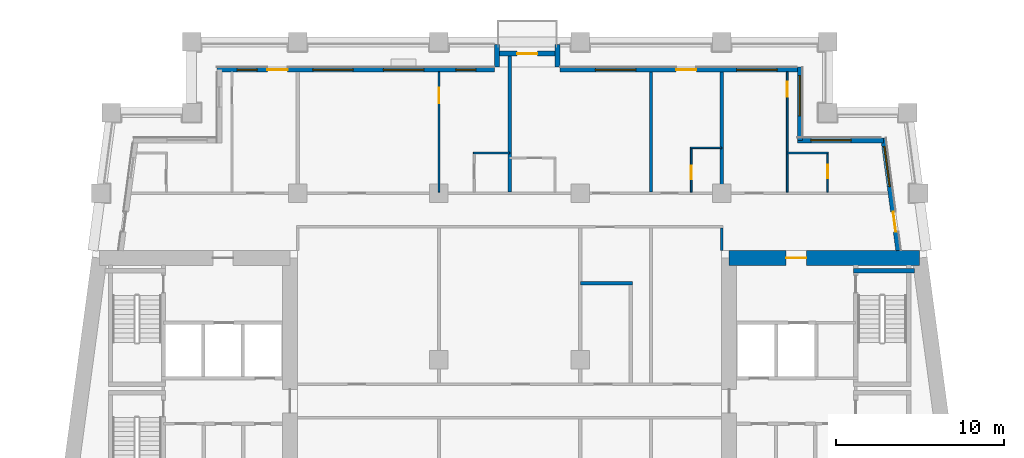
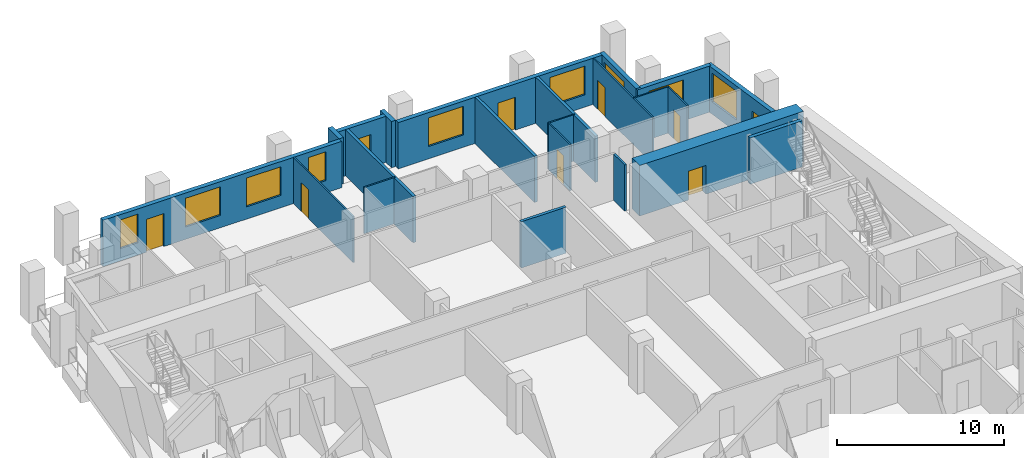
# One storey, part 7 of 13: 22 walls, 9 doors, 9 windows, 18 openings.
"""IFC4 building model written with IfcOpenShell, lengths in metres."""

from ifc_helpers import new_model, si_unit, direction, frame, frame_2d, origin, place, context, subcontext, project, spatial, rectangle, extrude, material, layer, layer_set, type_object, element, fill, save


model = new_model("IFC4")

# Units and contexts
model_context = context("Model", 3, precision=1e-05, world=origin(), true_north=direction((0.0, 1.0)))
body_context = subcontext(model_context, "Body", "Model", "MODEL_VIEW")
ifc_project = project(units=[si_unit("LENGTHUNIT", "METRE"), si_unit("AREAUNIT", "SQUARE_METRE"), si_unit("VOLUMEUNIT", "CUBIC_METRE"), si_unit("PLANEANGLEUNIT", "RADIAN"), si_unit("MASSUNIT", "GRAM", prefix="KILO")], contexts=[model_context])

# Site, building, storey
site_placement = place(None, origin())
site = spatial("IfcSite", under=ifc_project, at=site_placement, CompositionType="ELEMENT")
building_placement = place(site_placement, origin())
building = spatial("IfcBuilding", under=site, at=building_placement, Name="Candeia Pilgrim Tower and Theatre", CompositionType="ELEMENT")
storey_placement = place(building_placement, frame((0.0, 0.0, 151.5)))
storey = spatial("IfcBuildingStorey", under=building, at=storey_placement, Name="L35", CompositionType="ELEMENT", Elevation=151.5)

# Wall, opening, door
ifc_material_1 = material(Name="Concrete C60/75", Category="concrete")
ifc_layer_1 = layer(ifc_material_1, 0.89990234375)
ifc_layer_set_1 = layer_set([ifc_layer_1], Name="Core wall 900 C60/75")
wall_type_1 = type_object("IfcWallType", Name="Core wall 900 C60/75", PredefinedType="SHEAR", material=ifc_layer_set_1)
wall_1_placement = place(storey_placement, frame((126.449951171875, 131.949951171875, 0.0), z_axis=(0.0, 0.0, 1.0), x_axis=(1.0, 0.0, 0.0)))
wall_1 = element("IfcWall", 1, at=wall_1_placement, inside=storey, type_object=wall_type_1, Name="Core wall E1", PredefinedType="SHEAR", context=body_context, shape_type="SweptSolid", body=[
    extrude(rectangle(XDim=11.32568359375, YDim=0.89990234375, at=frame_2d((5.662841796875, 0.0))), origin(), (0.0, 0.0, 1.0), 3.699951171875),
])
opening_1_placement = place(wall_1_placement, frame((3.386474609375, 0.0, 0.0)))
opening_1 = element("IfcOpeningElement", 2, at=opening_1_placement, cuts=wall_1, Name="Opening L35-D061", PredefinedType="OPENING", context=body_context, shape_type="SweptSolid", body=[
    extrude(rectangle(XDim=1.199951171875, YDim=2.10009765625, at=frame_2d((0.60009765625, 1.050048828125))), frame((0.0, 0.4599609375, 0.0), z_axis=(0.0, -1.0, 0.0), x_axis=(1.0, 0.0, 0.0)), (0.0, 0.0, 1.0), 0.919921875),
])
ifc_material_2 = material(Name="Steel fire door set", Category="steel")
door_type_1 = type_object("IfcDoorType", Name="D-1200-FD60", OperationType="NOTDEFINED", PredefinedType="DOOR", material=ifc_material_2)
door_1_placement = place(opening_1_placement, origin())
door_1 = element("IfcDoor", 3, at=door_1_placement, inside=storey, type_object=door_type_1, Name="Door L35-D061", OperationType="SINGLE_SWING_RIGHT", OverallHeight=2.10009765625, OverallWidth=1.199951171875, PredefinedType="DOOR", context=body_context, shape_type="SweptSolid", body=[
    extrude(rectangle(XDim=1.199951171875, YDim=2.10009765625, at=frame_2d((0.60009765625, 1.050048828125))), frame((0.0, 0.02490234375, 0.0), z_axis=(0.0, -1.0, 0.0), x_axis=(1.0, 0.0, 0.0)), (0.0, 0.0, 1.0), 0.050048828125),
])
fill(opening_1, door_1)

# Wall, openings, door, window
ifc_material_3 = material(Name="Ceramic block masonry", Category="masonry")
ifc_layer_2 = layer(ifc_material_3, 0.300048828125)
ifc_layer_set_2 = layer_set([ifc_layer_2], Name="EW1 glazing-line wall 300")
wall_type_2 = type_object("IfcWallType", Name="EW1 glazing-line wall 300", PredefinedType="SOLIDWALL", material=ifc_layer_set_2)
wall_2_placement = place(storey_placement, frame((136.50439453125, 132.39990234375, 0.0), z_axis=(0.0, 0.0, 1.0), x_axis=(-0.133399697462, 0.99106231929, 0.0)))
wall_2 = element("IfcWall", 4, at=wall_2_placement, inside=storey, type_object=wall_type_2, Name="External wall L35-3.1", PredefinedType="SOLIDWALL", context=body_context, shape_type="SweptSolid", body=[
    extrude(rectangle(XDim=6.740478515625, YDim=0.300048828125, at=frame_2d((3.3701171875, 0.0))), origin(), (0.0, 0.0, 1.0), 3.3798828125),
])
opening_2_placement = place(wall_2_placement, frame((1.115234375, 0.0, 0.0)))
opening_2 = element("IfcOpeningElement", 5, at=opening_2_placement, cuts=wall_2, Name="Opening L35-ED337", PredefinedType="OPENING", context=body_context, shape_type="SweptSolid", body=[
    extrude(rectangle(XDim=1.199951171875, YDim=2.39990234375, at=frame_2d((0.60009765625, 1.199951171875))), frame((0.0, 0.16015625, 0.0), z_axis=(0.0, -1.0, 0.0), x_axis=(1.0, 0.0, 0.0)), (0.0, 0.0, 1.0), 0.320068359375),
])
opening_3_placement = place(wall_2_placement, frame((3.83544921875, 0.0, 0.89990234375)))
opening_3 = element("IfcOpeningElement", 6, at=opening_3_placement, cuts=wall_2, Name="Opening W-A", PredefinedType="OPENING", context=body_context, shape_type="SweptSolid", body=[
    extrude(rectangle(XDim=2.39990234375, YDim=2.10009765625, at=frame_2d((1.199951171875, 1.050048828125))), frame((0.0, 0.16015625, 0.0), z_axis=(0.0, -1.0, 0.0), x_axis=(1.0, 0.0, 0.0)), (0.0, 0.0, 1.0), 0.320068359375),
])
ifc_material_4 = material(Name="Aluminium framed glazed door", Category="aluminium")
door_type_2 = type_object("IfcDoorType", Name="Loggia door 1200x2400", OperationType="DOUBLE_DOOR_SINGLE_SWING", PredefinedType="DOOR", material=ifc_material_4)
door_2_placement = place(opening_2_placement, origin())
door_2 = element("IfcDoor", 7, at=door_2_placement, inside=storey, type_object=door_type_2, Name="Loggia door L35-ED337", OperationType="DOUBLE_DOOR_SINGLE_SWING", OverallHeight=2.39990234375, OverallWidth=1.199951171875, PredefinedType="DOOR", context=body_context, shape_type="SweptSolid", body=[
    extrude(rectangle(XDim=1.199951171875, YDim=2.39990234375, at=frame_2d((0.60009765625, 1.199951171875))), frame((0.0, 0.02490234375, 0.0), z_axis=(0.0, -1.0, 0.0), x_axis=(1.0, 0.0, 0.0)), (0.0, 0.0, 1.0), 0.050048828125),
])
fill(opening_2, door_2)
ifc_material_5 = material(Name="Aluminium framed double glazing", Category="aluminium")
window_type_1 = type_object("IfcWindowType", Name="W-A window 2400x2100", PartitioningType="DOUBLE_PANEL_VERTICAL", PredefinedType="WINDOW", material=ifc_material_5)
window_1_placement = place(opening_3_placement, origin())
window_1 = element("IfcWindow", 8, at=window_1_placement, inside=storey, type_object=window_type_1, Name="Window W-A L35", OverallHeight=2.10009765625, OverallWidth=2.39990234375, PartitioningType="SINGLE_PANEL", PredefinedType="WINDOW", context=body_context, shape_type="SweptSolid", body=[
    extrude(rectangle(XDim=2.39990234375, YDim=2.10009765625, at=frame_2d((1.199951171875, 1.050048828125))), frame((0.0, 0.030029296875, 0.0), z_axis=(0.0, -1.0, 0.0), x_axis=(1.0, 0.0, 0.0)), (0.0, 0.0, 1.0), 0.06005859375),
])
fill(opening_3, window_1)

# Wall, opening, window
wall_3_placement = place(storey_placement, frame((135.62255859375, 138.949951171875, 0.0), z_axis=(0.0, 0.0, 1.0), x_axis=(-1.0, 0.0, 0.0)))
wall_3 = element("IfcWall", 9, at=wall_3_placement, inside=storey, type_object=wall_type_2, Name="External wall L35-4.0", PredefinedType="SOLIDWALL", context=body_context, shape_type="SweptSolid", body=[
    extrude(rectangle(XDim=5.12255859375, YDim=0.300048828125, at=frame_2d((2.561279296875, 0.0))), origin(), (0.0, 0.0, 1.0), 3.3798828125),
])
opening_4_placement = place(wall_3_placement, frame((1.922607421875, 0.0, 0.89990234375)))
opening_4 = element("IfcOpeningElement", 10, at=opening_4_placement, cuts=wall_3, Name="Opening W-A", PredefinedType="OPENING", context=body_context, shape_type="SweptSolid", body=[
    extrude(rectangle(XDim=2.39990234375, YDim=2.10009765625, at=frame_2d((1.199951171875, 1.050048828125))), frame((0.0, 0.16015625, 0.0), z_axis=(0.0, -1.0, 0.0), x_axis=(1.0, 0.0, 0.0)), (0.0, 0.0, 1.0), 0.320068359375),
])
window_2_placement = place(opening_4_placement, origin())
window_2 = element("IfcWindow", 11, at=window_2_placement, inside=storey, type_object=window_type_1, Name="Window W-A L35", OverallHeight=2.10009765625, OverallWidth=2.39990234375, PartitioningType="SINGLE_PANEL", PredefinedType="WINDOW", context=body_context, shape_type="SweptSolid", body=[
    extrude(rectangle(XDim=2.39990234375, YDim=2.10009765625, at=frame_2d((1.199951171875, 1.050048828125))), frame((0.0, 0.030029296875, 0.0), z_axis=(0.0, -1.0, 0.0), x_axis=(1.0, 0.0, 0.0)), (0.0, 0.0, 1.0), 0.06005859375),
])
fill(opening_4, window_2)

wall_4_placement = place(storey_placement, frame((130.64990234375, 138.949951171875, 0.0), z_axis=(0.0, 0.0, 1.0), x_axis=(0.0, 1.0, 0.0)))
wall_4 = element("IfcWall", 12, at=wall_4_placement, inside=storey, type_object=wall_type_2, Name="External wall L35-5.0", PredefinedType="SOLIDWALL", context=body_context, shape_type="SweptSolid", body=[
    extrude(rectangle(XDim=4.35009765625, YDim=0.300048828125, at=frame_2d((2.175048828125, 0.0))), origin(), (0.0, 0.0, 1.0), 3.3798828125),
])
opening_5_placement = place(wall_4_placement, frame((1.449951171875, 0.0, 0.89990234375)))
opening_5 = element("IfcOpeningElement", 13, at=opening_5_placement, cuts=wall_4, Name="Opening W-A", PredefinedType="OPENING", context=body_context, shape_type="SweptSolid", body=[
    extrude(rectangle(XDim=2.39990234375, YDim=2.10009765625, at=frame_2d((1.199951171875, 1.050048828125))), frame((0.0, 0.16015625, 0.0), z_axis=(0.0, -1.0, 0.0), x_axis=(1.0, 0.0, 0.0)), (0.0, 0.0, 1.0), 0.320068359375),
])
window_3_placement = place(opening_5_placement, origin())
window_3 = element("IfcWindow", 14, at=window_3_placement, inside=storey, type_object=window_type_1, Name="Window W-A L35", OverallHeight=2.10009765625, OverallWidth=2.39990234375, PartitioningType="SINGLE_PANEL", PredefinedType="WINDOW", context=body_context, shape_type="SweptSolid", body=[
    extrude(rectangle(XDim=2.39990234375, YDim=2.10009765625, at=frame_2d((1.199951171875, 1.050048828125))), frame((0.0, 0.030029296875, 0.0), z_axis=(0.0, -1.0, 0.0), x_axis=(1.0, 0.0, 0.0)), (0.0, 0.0, 1.0), 0.06005859375),
])
fill(opening_5, window_3)

# Wall, openings, door, windows
wall_5_placement = place(storey_placement, frame((130.64990234375, 143.14990234375, 0.0), z_axis=(0.0, 0.0, 1.0), x_axis=(-1.0, 0.0, 0.0)))
wall_5 = element("IfcWall", 15, at=wall_5_placement, inside=storey, type_object=wall_type_2, Name="External wall L35-6.0", PredefinedType="SOLIDWALL", context=body_context, shape_type="SweptSolid", body=[
    extrude(rectangle(XDim=14.25, YDim=0.300048828125, at=frame_2d((7.125, 0.0))), origin(), (0.0, 0.0, 1.0), 3.3798828125),
])
opening_6_placement = place(wall_5_placement, frame((1.35009765625, 0.0, 0.89990234375)))
opening_6 = element("IfcOpeningElement", 16, at=opening_6_placement, cuts=wall_5, Name="Opening W-A", PredefinedType="OPENING", context=body_context, shape_type="SweptSolid", body=[
    extrude(rectangle(XDim=2.39990234375, YDim=2.10009765625, at=frame_2d((1.199951171875, 1.050048828125))), frame((0.0, 0.16015625, 0.0), z_axis=(0.0, -1.0, 0.0), x_axis=(1.0, 0.0, 0.0)), (0.0, 0.0, 1.0), 0.320068359375),
])
opening_7_placement = place(wall_5_placement, frame((6.14990234375, 0.0, 0.0)))
opening_7 = element("IfcOpeningElement", 17, at=opening_7_placement, cuts=wall_5, Name="Opening L35-ED338", PredefinedType="OPENING", context=body_context, shape_type="SweptSolid", body=[
    extrude(rectangle(XDim=1.199951171875, YDim=2.39990234375, at=frame_2d((0.60009765625, 1.199951171875))), frame((0.0, 0.16015625, 0.0), z_axis=(0.0, -1.0, 0.0), x_axis=(1.0, 0.0, 0.0)), (0.0, 0.0, 1.0), 0.320068359375),
])
opening_8_placement = place(wall_5_placement, frame((9.75, 0.0, 0.89990234375)))
opening_8 = element("IfcOpeningElement", 18, at=opening_8_placement, cuts=wall_5, Name="Opening W-A", PredefinedType="OPENING", context=body_context, shape_type="SweptSolid", body=[
    extrude(rectangle(XDim=2.39990234375, YDim=2.10009765625, at=frame_2d((1.199951171875, 1.050048828125))), frame((0.0, 0.16015625, 0.0), z_axis=(0.0, -1.0, 0.0), x_axis=(1.0, 0.0, 0.0)), (0.0, 0.0, 1.0), 0.320068359375),
])
door_3_placement = place(opening_7_placement, origin())
door_3 = element("IfcDoor", 19, at=door_3_placement, inside=storey, type_object=door_type_2, Name="Loggia door L35-ED338", OperationType="DOUBLE_DOOR_SINGLE_SWING", OverallHeight=2.39990234375, OverallWidth=1.199951171875, PredefinedType="DOOR", context=body_context, shape_type="SweptSolid", body=[
    extrude(rectangle(XDim=1.199951171875, YDim=2.39990234375, at=frame_2d((0.60009765625, 1.199951171875))), frame((0.0, 0.02490234375, 0.0), z_axis=(0.0, -1.0, 0.0), x_axis=(1.0, 0.0, 0.0)), (0.0, 0.0, 1.0), 0.050048828125),
])
fill(opening_7, door_3)
window_4_placement = place(opening_6_placement, origin())
window_4 = element("IfcWindow", 20, at=window_4_placement, inside=storey, type_object=window_type_1, Name="Window W-A L35", OverallHeight=2.10009765625, OverallWidth=2.39990234375, PartitioningType="SINGLE_PANEL", PredefinedType="WINDOW", context=body_context, shape_type="SweptSolid", body=[
    extrude(rectangle(XDim=2.39990234375, YDim=2.10009765625, at=frame_2d((1.199951171875, 1.050048828125))), frame((0.0, 0.030029296875, 0.0), z_axis=(0.0, -1.0, 0.0), x_axis=(1.0, 0.0, 0.0)), (0.0, 0.0, 1.0), 0.06005859375),
])
fill(opening_6, window_4)
window_5_placement = place(opening_8_placement, origin())
window_5 = element("IfcWindow", 21, at=window_5_placement, inside=storey, type_object=window_type_1, Name="Window W-A L35", OverallHeight=2.10009765625, OverallWidth=2.39990234375, PartitioningType="SINGLE_PANEL", PredefinedType="WINDOW", context=body_context, shape_type="SweptSolid", body=[
    extrude(rectangle(XDim=2.39990234375, YDim=2.10009765625, at=frame_2d((1.199951171875, 1.050048828125))), frame((0.0, 0.030029296875, 0.0), z_axis=(0.0, -1.0, 0.0), x_axis=(1.0, 0.0, 0.0)), (0.0, 0.0, 1.0), 0.06005859375),
])
fill(opening_8, window_5)

wall_6_placement = place(storey_placement, frame((112.5, 143.14990234375, 0.0), z_axis=(0.0, 0.0, 1.0), x_axis=(-1.0, 0.0, 0.0)))
wall_6 = element("IfcWall", 22, at=wall_6_placement, inside=storey, type_object=wall_type_2, Name="External wall L35-6.1", PredefinedType="SOLIDWALL", context=body_context, shape_type="SweptSolid", body=[
    extrude(rectangle(XDim=16.5, YDim=0.300048828125, at=frame_2d((8.25, 0.0))), origin(), (0.0, 0.0, 1.0), 3.3798828125),
])
opening_9_placement = place(wall_6_placement, frame((1.10009765625, 0.0, 0.89990234375)))
opening_9 = element("IfcOpeningElement", 23, at=opening_9_placement, cuts=wall_6, Name="Opening W-B", PredefinedType="OPENING", context=body_context, shape_type="SweptSolid", body=[
    extrude(rectangle(XDim=1.199951171875, YDim=2.10009765625, at=frame_2d((0.60009765625, 1.050048828125))), frame((0.0, 0.16015625, 0.0), z_axis=(0.0, -1.0, 0.0), x_axis=(1.0, 0.0, 0.0)), (0.0, 0.0, 1.0), 0.320068359375),
])
opening_10_placement = place(wall_6_placement, frame((4.199951171875, 0.0, 0.89990234375)))
opening_10 = element("IfcOpeningElement", 24, at=opening_10_placement, cuts=wall_6, Name="Opening W-A", PredefinedType="OPENING", context=body_context, shape_type="SweptSolid", body=[
    extrude(rectangle(XDim=2.39990234375, YDim=2.10009765625, at=frame_2d((1.199951171875, 1.050048828125))), frame((0.0, 0.16015625, 0.0), z_axis=(0.0, -1.0, 0.0), x_axis=(1.0, 0.0, 0.0)), (0.0, 0.0, 1.0), 0.320068359375),
])
opening_11_placement = place(wall_6_placement, frame((8.39990234375, 0.0, 0.89990234375)))
opening_11 = element("IfcOpeningElement", 25, at=opening_11_placement, cuts=wall_6, Name="Opening W-A", PredefinedType="OPENING", context=body_context, shape_type="SweptSolid", body=[
    extrude(rectangle(XDim=2.39990234375, YDim=2.10009765625, at=frame_2d((1.199951171875, 1.050048828125))), frame((0.0, 0.16015625, 0.0), z_axis=(0.0, -1.0, 0.0), x_axis=(1.0, 0.0, 0.0)), (0.0, 0.0, 1.0), 0.320068359375),
])
opening_12_placement = place(wall_6_placement, frame((12.300048828125, 0.0, 0.0)))
opening_12 = element("IfcOpeningElement", 26, at=opening_12_placement, cuts=wall_6, Name="Opening L35-ED339", PredefinedType="OPENING", context=body_context, shape_type="SweptSolid", body=[
    extrude(rectangle(XDim=1.199951171875, YDim=2.39990234375, at=frame_2d((0.60009765625, 1.199951171875))), frame((0.0, 0.16015625, 0.0), z_axis=(0.0, -1.0, 0.0), x_axis=(1.0, 0.0, 0.0)), (0.0, 0.0, 1.0), 0.320068359375),
])
opening_13_placement = place(wall_6_placement, frame((14.10009765625, 0.0, 0.89990234375)))
opening_13 = element("IfcOpeningElement", 27, at=opening_13_placement, cuts=wall_6, Name="Opening W-B", PredefinedType="OPENING", context=body_context, shape_type="SweptSolid", body=[
    extrude(rectangle(XDim=1.199951171875, YDim=2.10009765625, at=frame_2d((0.60009765625, 1.050048828125))), frame((0.0, 0.16015625, 0.0), z_axis=(0.0, -1.0, 0.0), x_axis=(1.0, 0.0, 0.0)), (0.0, 0.0, 1.0), 0.320068359375),
])
door_4_placement = place(opening_12_placement, origin())
door_4 = element("IfcDoor", 28, at=door_4_placement, inside=storey, type_object=door_type_2, Name="Loggia door L35-ED339", OperationType="DOUBLE_DOOR_SINGLE_SWING", OverallHeight=2.39990234375, OverallWidth=1.199951171875, PredefinedType="DOOR", context=body_context, shape_type="SweptSolid", body=[
    extrude(rectangle(XDim=1.199951171875, YDim=2.39990234375, at=frame_2d((0.60009765625, 1.199951171875))), frame((0.0, 0.02490234375, 0.0), z_axis=(0.0, -1.0, 0.0), x_axis=(1.0, 0.0, 0.0)), (0.0, 0.0, 1.0), 0.050048828125),
])
fill(opening_12, door_4)
window_6_placement = place(opening_10_placement, origin())
window_6 = element("IfcWindow", 29, at=window_6_placement, inside=storey, type_object=window_type_1, Name="Window W-A L35", OverallHeight=2.10009765625, OverallWidth=2.39990234375, PartitioningType="SINGLE_PANEL", PredefinedType="WINDOW", context=body_context, shape_type="SweptSolid", body=[
    extrude(rectangle(XDim=2.39990234375, YDim=2.10009765625, at=frame_2d((1.199951171875, 1.050048828125))), frame((0.0, 0.030029296875, 0.0), z_axis=(0.0, -1.0, 0.0), x_axis=(1.0, 0.0, 0.0)), (0.0, 0.0, 1.0), 0.06005859375),
])
fill(opening_10, window_6)
window_7_placement = place(opening_11_placement, origin())
window_7 = element("IfcWindow", 30, at=window_7_placement, inside=storey, type_object=window_type_1, Name="Window W-A L35", OverallHeight=2.10009765625, OverallWidth=2.39990234375, PartitioningType="SINGLE_PANEL", PredefinedType="WINDOW", context=body_context, shape_type="SweptSolid", body=[
    extrude(rectangle(XDim=2.39990234375, YDim=2.10009765625, at=frame_2d((1.199951171875, 1.050048828125))), frame((0.0, 0.030029296875, 0.0), z_axis=(0.0, -1.0, 0.0), x_axis=(1.0, 0.0, 0.0)), (0.0, 0.0, 1.0), 0.06005859375),
])
fill(opening_11, window_7)
window_type_2 = type_object("IfcWindowType", Name="W-B window 1200x2100", PartitioningType="SINGLE_PANEL", PredefinedType="WINDOW", material=ifc_material_5)
window_8_placement = place(opening_9_placement, origin())
window_8 = element("IfcWindow", 31, at=window_8_placement, inside=storey, type_object=window_type_2, Name="Window W-B L35", OverallHeight=2.10009765625, OverallWidth=1.199951171875, PartitioningType="SINGLE_PANEL", PredefinedType="WINDOW", context=body_context, shape_type="SweptSolid", body=[
    extrude(rectangle(XDim=1.199951171875, YDim=2.10009765625, at=frame_2d((0.60009765625, 1.050048828125))), frame((0.0, 0.030029296875, 0.0), z_axis=(0.0, -1.0, 0.0), x_axis=(1.0, 0.0, 0.0)), (0.0, 0.0, 1.0), 0.06005859375),
])
fill(opening_9, window_8)
window_9_placement = place(opening_13_placement, origin())
window_9 = element("IfcWindow", 32, at=window_9_placement, inside=storey, type_object=window_type_2, Name="Window W-B L35", OverallHeight=2.10009765625, OverallWidth=1.199951171875, PartitioningType="SINGLE_PANEL", PredefinedType="WINDOW", context=body_context, shape_type="SweptSolid", body=[
    extrude(rectangle(XDim=1.199951171875, YDim=2.10009765625, at=frame_2d((0.60009765625, 1.050048828125))), frame((0.0, 0.030029296875, 0.0), z_axis=(0.0, -1.0, 0.0), x_axis=(1.0, 0.0, 0.0)), (0.0, 0.0, 1.0), 0.06005859375),
])
fill(opening_13, window_9)

# Walls
ifc_layer_3 = layer(ifc_material_3, 0.300048828125)
ifc_layer_set_3 = layer_set([ifc_layer_3], Name="EW2 entrance infill wall 300")
wall_type_3 = type_object("IfcWallType", Name="EW2 entrance infill wall 300", PredefinedType="SOLIDWALL", material=ifc_layer_set_3)
for number, where, z_axis, x_axis, name in (
    (33, (116.25, 143.300048828125, 0.0), (0.0, 0.0, 1.0), (0.0, 1.0, 0.0), "Alcove wall L35"),
    (34, (112.64990234375, 143.300048828125, 0.0), (0.0, 0.0, 1.0), (0.0, 1.0, 0.0), "Alcove wall L35"),
):
    element("IfcWall", number, at=place(storey_placement, frame(where, z_axis=z_axis, x_axis=x_axis)), inside=storey, type_object=wall_type_3, Name=name, PredefinedType="SOLIDWALL", context=body_context, shape_type="SweptSolid", body=[
        extrude(rectangle(XDim=1.349853515625, YDim=0.300048828125, at=frame_2d((0.6748046875, 0.0))), origin(), (0.0, 0.0, 1.0), 3.3798828125),
    ])

# Wall, opening, door
wall_7_placement = place(storey_placement, frame((116.39990234375, 144.10009765625, 0.0), z_axis=(0.0, 0.0, 1.0), x_axis=(-1.0, 0.0, 0.0)))
wall_7 = element("IfcWall", 35, at=wall_7_placement, inside=storey, type_object=wall_type_3, Name="Alcove wall L35", PredefinedType="SOLIDWALL", context=body_context, shape_type="SweptSolid", body=[
    extrude(rectangle(XDim=3.89990234375, YDim=0.300048828125, at=frame_2d((1.949951171875, 0.0))), origin(), (0.0, 0.0, 1.0), 3.3798828125),
])
opening_14_placement = place(wall_7_placement, frame((1.35009765625, 0.0, 0.0)))
opening_14 = element("IfcOpeningElement", 36, at=opening_14_placement, cuts=wall_7, Name="Opening L35-ED340", PredefinedType="OPENING", context=body_context, shape_type="SweptSolid", body=[
    extrude(rectangle(XDim=1.199951171875, YDim=2.39990234375, at=frame_2d((0.60009765625, 1.199951171875))), frame((0.0, 0.16015625, 0.0), z_axis=(0.0, -1.0, 0.0), x_axis=(1.0, 0.0, 0.0)), (0.0, 0.0, 1.0), 0.320068359375),
])
door_5_placement = place(opening_14_placement, origin())
door_5 = element("IfcDoor", 37, at=door_5_placement, inside=storey, type_object=door_type_2, Name="Balcony door L35-ED340", OperationType="DOUBLE_DOOR_SINGLE_SWING", OverallHeight=2.39990234375, OverallWidth=1.199951171875, PredefinedType="DOOR", context=body_context, shape_type="SweptSolid", body=[
    extrude(rectangle(XDim=1.199951171875, YDim=2.39990234375, at=frame_2d((0.60009765625, 1.199951171875))), frame((0.0, 0.02490234375, 0.0), z_axis=(0.0, -1.0, 0.0), x_axis=(1.0, 0.0, 0.0)), (0.0, 0.0, 1.0), 0.050048828125),
])
fill(opening_14, door_5)

# Walls
ifc_material_6 = material(Name="Gypsum board partition on steel studs", Category="steel")
ifc_layer_4 = layer(ifc_material_6, 0.10009765625)
ifc_layer_set_4 = layer_set([ifc_layer_4], Name="PW-100 room partition")
wall_type_4 = type_object("IfcWallType", Name="PW-100 room partition", PredefinedType="PARTITIONING", material=ifc_layer_set_4)
wall_8_placement = place(storey_placement, frame((111.25, 138.199951171875, 0.0), z_axis=(0.0, 0.0, 1.0), x_axis=(1.0, 0.0, 0.0)))
element("IfcWall", 38, at=wall_8_placement, inside=storey, type_object=wall_type_4, Name="Room partition L35-045", PredefinedType="PARTITIONING", context=body_context, shape_type="SweptSolid", body=[
    extrude(rectangle(XDim=2.14990234375, YDim=0.10009765625, at=frame_2d((1.074951171875, 0.0))), origin(), (0.0, 0.0, 1.0), 3.3798828125),
])
wall_9_placement = place(storey_placement, frame((129.89990234375, 138.199951171875, 0.0), z_axis=(0.0, 0.0, 1.0), x_axis=(1.0, 0.0, 0.0)))
element("IfcWall", 39, at=wall_9_placement, inside=storey, type_object=wall_type_4, Name="Room partition L35-046", PredefinedType="PARTITIONING", context=body_context, shape_type="SweptSolid", body=[
    extrude(rectangle(XDim=2.4501953125, YDim=0.10009765625, at=frame_2d((1.22509765625, 0.0))), origin(), (0.0, 0.0, 1.0), 3.3798828125),
])
wall_10_placement = place(storey_placement, frame((124.14990234375, 138.5, 0.0), z_axis=(0.0, 0.0, 1.0), x_axis=(1.0, 0.0, 0.0)))
element("IfcWall", 40, at=wall_10_placement, inside=storey, type_object=wall_type_4, Name="Room partition L35-047", PredefinedType="PARTITIONING", context=body_context, shape_type="SweptSolid", body=[
    extrude(rectangle(XDim=1.85009765625, YDim=0.10009765625, at=frame_2d((0.925048828125, 0.0))), origin(), (0.0, 0.0, 1.0), 3.3798828125),
])

# Wall, opening, door
wall_11_placement = place(storey_placement, frame((109.199951171875, 135.875, 0.0), z_axis=(0.0, 0.0, 1.0), x_axis=(0.0, 1.0, 0.0)))
wall_11 = element("IfcWall", 41, at=wall_11_placement, inside=storey, type_object=wall_type_4, Name="Room partition L35-078", PredefinedType="PARTITIONING", context=body_context, shape_type="SweptSolid", body=[
    extrude(rectangle(XDim=7.135009765625, YDim=0.10009765625, at=frame_2d((3.5673828125, 0.0))), origin(), (0.0, 0.0, 1.0), 3.3798828125),
])
opening_15_placement = place(wall_11_placement, frame((5.2900390625, 0.0, 0.0)))
opening_15 = element("IfcOpeningElement", 42, at=opening_15_placement, cuts=wall_11, Name="Opening L35-D039", PredefinedType="OPENING", context=body_context, shape_type="SweptSolid", body=[
    extrude(rectangle(XDim=0.89990234375, YDim=2.10009765625, at=frame_2d((0.449951171875, 1.050048828125))), frame((0.0, 0.06005859375, 0.0), z_axis=(0.0, -1.0, 0.0), x_axis=(1.0, 0.0, 0.0)), (0.0, 0.0, 1.0), 0.1201171875),
])
ifc_material_7 = material(Name="Timber door leaf", Category="wood")
door_type_3 = type_object("IfcDoorType", Name="D-900", OperationType="NOTDEFINED", PredefinedType="DOOR", material=ifc_material_7)
door_6_placement = place(opening_15_placement, origin())
door_6 = element("IfcDoor", 43, at=door_6_placement, inside=storey, type_object=door_type_3, Name="Door L35-D039", OperationType="SINGLE_SWING_RIGHT", OverallHeight=2.10009765625, OverallWidth=0.89990234375, PredefinedType="DOOR", context=body_context, shape_type="SweptSolid", body=[
    extrude(rectangle(XDim=0.89990234375, YDim=2.10009765625, at=frame_2d((0.449951171875, 1.050048828125))), frame((0.0, 0.02490234375, 0.0), z_axis=(0.0, -1.0, 0.0), x_axis=(1.0, 0.0, 0.0)), (0.0, 0.0, 1.0), 0.050048828125),
])
fill(opening_15, door_6)

wall_12_placement = place(storey_placement, frame((124.199951171875, 135.875, 0.0), z_axis=(0.0, 0.0, 1.0), x_axis=(0.0, 1.0, 0.0)))
wall_12 = element("IfcWall", 44, at=wall_12_placement, inside=storey, type_object=wall_type_4, Name="Room partition L35-096", PredefinedType="PARTITIONING", context=body_context, shape_type="SweptSolid", body=[
    extrude(rectangle(XDim=2.574951171875, YDim=0.10009765625, at=frame_2d((1.28759765625, 0.0))), origin(), (0.0, 0.0, 1.0), 3.3798828125),
])
opening_16_placement = place(wall_12_placement, frame((0.7548828125, 0.0, 0.0)))
opening_16 = element("IfcOpeningElement", 45, at=opening_16_placement, cuts=wall_12, Name="Opening L35-D044", PredefinedType="OPENING", context=body_context, shape_type="SweptSolid", body=[
    extrude(rectangle(XDim=0.800048828125, YDim=2.10009765625, at=frame_2d((0.39990234375, 1.050048828125))), frame((0.0, 0.06005859375, 0.0), z_axis=(0.0, -1.0, 0.0), x_axis=(1.0, 0.0, 0.0)), (0.0, 0.0, 1.0), 0.1201171875),
])
door_type_4 = type_object("IfcDoorType", Name="D-800", OperationType="NOTDEFINED", PredefinedType="DOOR", material=ifc_material_7)
door_7_placement = place(opening_16_placement, origin())
door_7 = element("IfcDoor", 46, at=door_7_placement, inside=storey, type_object=door_type_4, Name="Door L35-D044", OperationType="SINGLE_SWING_LEFT", OverallHeight=2.10009765625, OverallWidth=0.800048828125, PredefinedType="DOOR", context=body_context, shape_type="SweptSolid", body=[
    extrude(rectangle(XDim=0.800048828125, YDim=2.10009765625, at=frame_2d((0.39990234375, 1.050048828125))), frame((0.0, 0.02490234375, 0.0), z_axis=(0.0, -1.0, 0.0), x_axis=(1.0, 0.0, 0.0)), (0.0, 0.0, 1.0), 0.050048828125),
])
fill(opening_16, door_7)

wall_13_placement = place(storey_placement, frame((129.89990234375, 135.875, 0.0), z_axis=(0.0, 0.0, 1.0), x_axis=(0.0, 1.0, 0.0)))
wall_13 = element("IfcWall", 47, at=wall_13_placement, inside=storey, type_object=wall_type_4, Name="Room partition L35-104", PredefinedType="PARTITIONING", context=body_context, shape_type="SweptSolid", body=[
    extrude(rectangle(XDim=7.135009765625, YDim=0.10009765625, at=frame_2d((3.5673828125, 0.0))), origin(), (0.0, 0.0, 1.0), 3.3798828125),
])
opening_17_placement = place(wall_13_placement, frame((5.64990234375, 0.0, 0.0)))
opening_17 = element("IfcOpeningElement", 48, at=opening_17_placement, cuts=wall_13, Name="Opening L35-D046", PredefinedType="OPENING", context=body_context, shape_type="SweptSolid", body=[
    extrude(rectangle(XDim=0.89990234375, YDim=2.10009765625, at=frame_2d((0.449951171875, 1.050048828125))), frame((0.0, 0.06005859375, 0.0), z_axis=(0.0, -1.0, 0.0), x_axis=(1.0, 0.0, 0.0)), (0.0, 0.0, 1.0), 0.1201171875),
])
door_8_placement = place(opening_17_placement, origin())
door_8 = element("IfcDoor", 49, at=door_8_placement, inside=storey, type_object=door_type_3, Name="Door L35-D046", OperationType="SINGLE_SWING_LEFT", OverallHeight=2.10009765625, OverallWidth=0.89990234375, PredefinedType="DOOR", context=body_context, shape_type="SweptSolid", body=[
    extrude(rectangle(XDim=0.89990234375, YDim=2.10009765625, at=frame_2d((0.449951171875, 1.050048828125))), frame((0.0, 0.02490234375, 0.0), z_axis=(0.0, -1.0, 0.0), x_axis=(1.0, 0.0, 0.0)), (0.0, 0.0, 1.0), 0.050048828125),
])
fill(opening_17, door_8)

wall_14_placement = place(storey_placement, frame((132.300048828125, 135.875, 0.0), z_axis=(0.0, 0.0, 1.0), x_axis=(0.0, 1.0, 0.0)))
wall_14 = element("IfcWall", 50, at=wall_14_placement, inside=storey, type_object=wall_type_4, Name="Room partition L35-111", PredefinedType="PARTITIONING", context=body_context, shape_type="SweptSolid", body=[
    extrude(rectangle(XDim=2.27490234375, YDim=0.10009765625, at=frame_2d((1.137451171875, 0.0))), origin(), (0.0, 0.0, 1.0), 3.3798828125),
])
opening_18_placement = place(wall_14_placement, frame((0.81494140625, 0.0, 0.0)))
opening_18 = element("IfcOpeningElement", 51, at=opening_18_placement, cuts=wall_14, Name="Opening L35-D047", PredefinedType="OPENING", context=body_context, shape_type="SweptSolid", body=[
    extrude(rectangle(XDim=0.800048828125, YDim=2.10009765625, at=frame_2d((0.39990234375, 1.050048828125))), frame((0.0, 0.06005859375, 0.0), z_axis=(0.0, -1.0, 0.0), x_axis=(1.0, 0.0, 0.0)), (0.0, 0.0, 1.0), 0.1201171875),
])
door_9_placement = place(opening_18_placement, origin())
door_9 = element("IfcDoor", 52, at=door_9_placement, inside=storey, type_object=door_type_4, Name="Door L35-D047", OperationType="SINGLE_SWING_RIGHT", OverallHeight=2.10009765625, OverallWidth=0.800048828125, PredefinedType="DOOR", context=body_context, shape_type="SweptSolid", body=[
    extrude(rectangle(XDim=0.800048828125, YDim=2.10009765625, at=frame_2d((0.39990234375, 1.050048828125))), frame((0.0, 0.02490234375, 0.0), z_axis=(0.0, -1.0, 0.0), x_axis=(1.0, 0.0, 0.0)), (0.0, 0.0, 1.0), 0.050048828125),
])
fill(opening_18, door_9)

# Walls
ifc_layer_5 = layer(ifc_material_6, 0.14990234375)
ifc_layer_set_5 = layer_set([ifc_layer_5], Name="PW-150 unit wall")
wall_type_5 = type_object("IfcWallType", Name="PW-150 unit wall", PredefinedType="PARTITIONING", material=ifc_layer_set_5)
wall_15_placement = place(storey_placement, frame((126.0, 132.39990234375, 0.0), z_axis=(0.0, 0.0, 1.0), x_axis=(0.0, 1.0, 0.0)))
element("IfcWall", 53, at=wall_15_placement, inside=storey, type_object=wall_type_5, Name="Unit wall L35-099", PredefinedType="PARTITIONING", context=body_context, shape_type="SweptSolid", body=[
    extrude(rectangle(XDim=1.3251953125, YDim=0.14990234375, at=frame_2d((0.66259765625, 0.0))), origin(), (0.0, 0.0, 1.0), 3.3798828125),
])
ifc_layer_6 = layer(ifc_material_6, 0.199951171875)
ifc_layer_set_6 = layer_set([ifc_layer_6], Name="PW-200 party wall")
wall_type_6 = type_object("IfcWallType", Name="PW-200 party wall", PredefinedType="PARTITIONING", material=ifc_layer_set_6)
wall_16_placement = place(storey_placement, frame((117.60009765625, 130.449951171875, 0.0), z_axis=(0.0, 0.0, 1.0), x_axis=(1.0, 0.0, 0.0)))
element("IfcWall", 54, at=wall_16_placement, inside=storey, type_object=wall_type_6, Name="Party wall L35-038", PredefinedType="PARTITIONING", context=body_context, shape_type="SweptSolid", body=[
    extrude(rectangle(XDim=3.099853515625, YDim=0.199951171875, at=frame_2d((1.5498046875, 0.0))), origin(), (0.0, 0.0, 1.0), 3.3798828125),
])
wall_17_placement = place(storey_placement, frame((113.39990234375, 135.875, 0.0), z_axis=(0.0, 0.0, 1.0), x_axis=(0.0, 1.0, 0.0)))
element("IfcWall", 55, at=wall_17_placement, inside=storey, type_object=wall_type_6, Name="Party wall L35-084", PredefinedType="PARTITIONING", context=body_context, shape_type="SweptSolid", body=[
    extrude(rectangle(XDim=8.0849609375, YDim=0.199951171875, at=frame_2d((4.04248046875, 0.0))), origin(), (0.0, 0.0, 1.0), 3.3798828125),
])
for number, where, z_axis, x_axis, name in (
    (56, (121.800048828125, 135.875, 0.0), (0.0, 0.0, 1.0), (0.0, 1.0, 0.0), "Party wall L35-095"),
    (57, (126.0, 135.875, 0.0), (0.0, 0.0, 1.0), (0.0, 1.0, 0.0), "Party wall L35-097"),
):
    element("IfcWall", number, at=place(storey_placement, frame(where, z_axis=z_axis, x_axis=x_axis)), inside=storey, type_object=wall_type_6, Name=name, PredefinedType="PARTITIONING", context=body_context, shape_type="SweptSolid", body=[
        extrude(rectangle(XDim=7.135009765625, YDim=0.199951171875, at=frame_2d((3.5673828125, 0.0))), origin(), (0.0, 0.0, 1.0), 3.3798828125),
    ])
ifc_material_8 = material(Name="Concrete C40/50", Category="concrete")
ifc_layer_7 = layer(ifc_material_8, 0.25)
ifc_layer_set_7 = layer_set([ifc_layer_7], Name="SW-250 stair wall")
wall_type_7 = type_object("IfcWallType", Name="SW-250 stair wall", PredefinedType="PARTITIONING", material=ifc_layer_set_7)
wall_18_placement = place(storey_placement, frame((133.847900390625, 131.199951171875, 0.0), z_axis=(0.0, 0.0, 1.0), x_axis=(1.0, 0.0, 0.0)))
element("IfcWall", 58, at=wall_18_placement, inside=storey, type_object=wall_type_7, Name="Stair wall L35-040", PredefinedType="PARTITIONING", context=body_context, shape_type="SweptSolid", body=[
    extrude(rectangle(XDim=3.604736328125, YDim=0.25, at=frame_2d((1.80224609375, 0.0))), origin(), (0.0, 0.0, 1.0), 3.3798828125),
])

save(model, "model.ifc")
